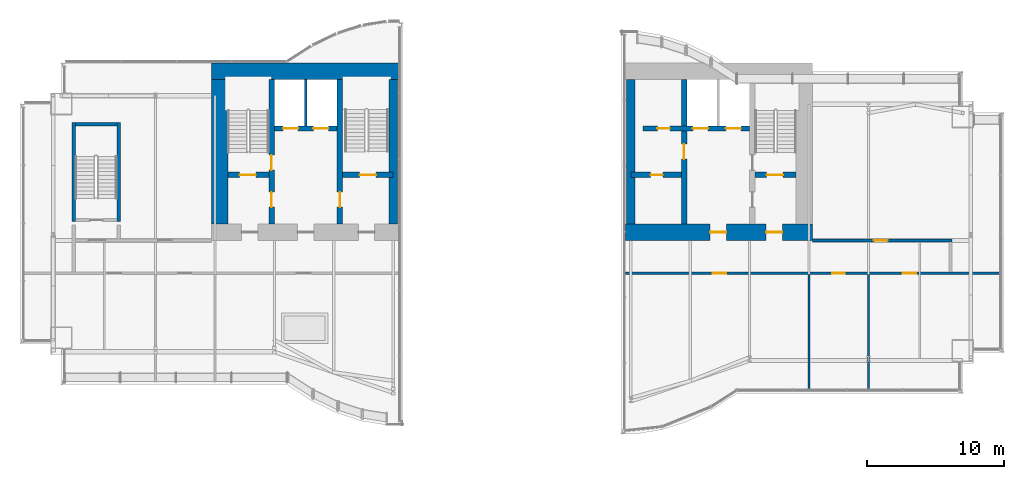
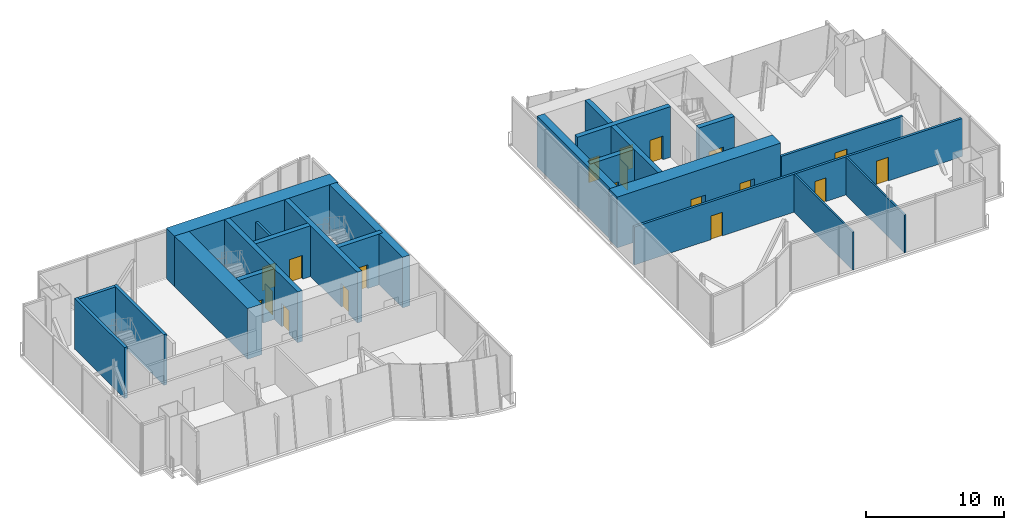
# One storey, part 10 of 14: 22 walls, 19 doors, 19 openings.
"""IFC4 building model written with IfcOpenShell, lengths in metres."""

import ifcopenshell
import ifcopenshell.guid

model = None  # the IFC model being written
_history = None  # IfcOwnerHistory: only IFC2X3 demands one
_inside = {}  # id of a spatial element -> (the spatial element, [elements in it])
_under = {}  # id of a project, library or spatial element -> (it, [spatial elements below it])
_declared = {}  # id of a project -> (the project, [libraries it declares])
_typed = {}  # id of a type object -> (the type object, [elements of that type])
_made_of = {}  # id of a material, layer set ... -> (it, [elements and type objects made of it])


def new_model(schema):
    """Start an empty IFC model of exactly this schema.

    Asked for "IFC4X3", IfcOpenShell would pick the latest addendum, in which some entities
    have other attributes; the version numbers below select the first issue.
    IFC2X3 requires an IfcOwnerHistory on every rooted entity: one is made here for all.
    """
    global model, _history
    if schema == "IFC4X3":
        model = ifcopenshell.file(schema_version=(4, 3, 0, 0))
    else:
        model = ifcopenshell.file(schema=schema)
    _inside.clear()
    _under.clear()
    _declared.clear()
    _typed.clear()
    _made_of.clear()
    _history = None
    if model.schema == "IFC2X3":
        org = make("IfcOrganization", Name="unknown")
        user = make(
            "IfcPersonAndOrganization",
            ThePerson=make("IfcPerson", FamilyName="unknown"),
            TheOrganization=org,
        )
        app = make(
            "IfcApplication",
            ApplicationDeveloper=org,
            Version="unknown",
            ApplicationFullName="unknown",
            ApplicationIdentifier="unknown",
        )
        _history = make(
            "IfcOwnerHistory",
            OwningUser=user,
            OwningApplication=app,
            ChangeAction="ADDED",
            CreationDate=0,
        )
    return model


def make(cls, **values):
    """One entity of the class cls with the attributes given. An attribute that is None is left unset."""
    return model.create_entity(
        cls, **{name: value for name, value in values.items() if value is not None}
    )


def rooted(cls, **values):
    """An entity with a GlobalId (a new one), such as an element, a storey or a relation."""
    return make(cls, GlobalId=ifcopenshell.guid.new(), OwnerHistory=_history, **values)


def si_unit(unit_type, name, prefix=None):
    """IfcSIUnit, for example si_unit("LENGTHUNIT", "METRE", prefix="MILLI")."""
    return make("IfcSIUnit", UnitType=unit_type, Prefix=prefix, Name=name)


def assignment(units):
    """IfcUnitAssignment: the units of a project."""
    return None if units is None else make("IfcUnitAssignment", Units=units)


def point(xyz):
    """IfcCartesianPoint."""
    return None if xyz is None else make("IfcCartesianPoint", Coordinates=xyz)


def direction(xyz):
    """IfcDirection."""
    return None if xyz is None else make("IfcDirection", DirectionRatios=xyz)


def frame(location, z_axis=None, x_axis=None):
    """IfcAxis2Placement3D, a coordinate frame: its origin and axes. An axis left out is left unset."""
    return make(
        "IfcAxis2Placement3D",
        Location=point(location),
        Axis=direction(z_axis),
        RefDirection=direction(x_axis),
    )


def frame_2d(location, x_axis=None):
    """IfcAxis2Placement2D, a coordinate frame in the plane: its origin and x axis."""
    return make(
        "IfcAxis2Placement2D", Location=point(location), RefDirection=direction(x_axis)
    )


def origin():
    """The frame at (0, 0, 0) with its axes left unset."""
    return frame((0.0, 0.0, 0.0))


def place(relative_to, where):
    """IfcLocalPlacement: puts the frame where relative to a parent placement (None: the world)."""
    return make(
        "IfcLocalPlacement", PlacementRelTo=relative_to, RelativePlacement=where
    )


def context(
    kind, dimensions, precision=None, world=None, true_north=None, identifier=None
):
    """IfcGeometricRepresentationContext, for example the 3D "Model" context."""
    return make(
        "IfcGeometricRepresentationContext",
        ContextIdentifier=identifier,
        ContextType=kind,
        CoordinateSpaceDimension=dimensions,
        Precision=precision,
        WorldCoordinateSystem=world,
        TrueNorth=true_north,
    )


def subcontext(parent, identifier, kind, view, scale=None):
    """IfcGeometricRepresentationSubContext, for example "Body" below "Model"."""
    return make(
        "IfcGeometricRepresentationSubContext",
        ContextIdentifier=identifier,
        ContextType=kind,
        ParentContext=parent,
        TargetScale=scale,
        TargetView=view,
    )


def project(units=None, contexts=None):
    """IfcProject with its units and contexts."""
    return rooted(
        "IfcProject",
        Name="project",
        RepresentationContexts=contexts,
        UnitsInContext=assignment(units),
    )


def spatial(cls, under=None, at=None, **own):
    """A site, building, storey or space (cls), placed at a placement, below another one or the project."""
    s = rooted(cls, ObjectPlacement=at, **own)
    if under is not None:
        _under.setdefault(under.id(), (under, []))[1].append(s)
    return s


def profile(cls, at=None, kind="AREA", **sizes):
    """A parametric profile (cls). Its sizes go by their IFC names, for example OverallWidth=200.0."""
    return make(cls, ProfileType=kind, Position=at, **sizes)


def rectangle(**sizes):
    """IfcRectangleProfileDef."""
    return profile("IfcRectangleProfileDef", **sizes)


def extrude(swept, where, along, depth):
    """IfcExtrudedAreaSolid: the profile swept, set in the frame where, extruded along a direction by depth."""
    return make(
        "IfcExtrudedAreaSolid",
        SweptArea=swept,
        Position=where,
        ExtrudedDirection=direction(along),
        Depth=depth,
    )


def shape(context_of_items, identifier, shape_type, items):
    """IfcShapeRepresentation: the items that make up one representation, for example the "Body"."""
    return make(
        "IfcShapeRepresentation",
        ContextOfItems=context_of_items,
        RepresentationIdentifier=identifier,
        RepresentationType=shape_type,
        Items=items,
    )


def material(Name=None, Category=None):
    """IfcMaterial."""
    return make("IfcMaterial", Name=Name, Category=Category)


def layer(
    of_material, thickness, ventilated=None, Name=None, Category=None, Priority=None
):
    """IfcMaterialLayer: one layer of a wall or slab, of a material (None: an air gap)."""
    return make(
        "IfcMaterialLayer",
        Material=of_material,
        LayerThickness=thickness,
        IsVentilated=ventilated,
        Name=Name,
        Category=Category,
        Priority=Priority,
    )


def layer_set(layers, Name=None):
    """IfcMaterialLayerSet."""
    return make("IfcMaterialLayerSet", MaterialLayers=layers, LayerSetName=Name)


def made_of(thing, what):
    """Note that an element or type object is made of a material, layer set ...; save() writes the relation."""
    if what is not None:
        _made_of.setdefault(what.id(), (what, []))[1].append(thing)
    return thing


def type_object(cls, material=None, **own):
    """A type object (cls), such as IfcWallType, which elements share."""
    return made_of(rooted(cls, **own), material)


def element(
    cls,
    number,
    at=None,
    inside=None,
    cuts=None,
    type_object=None,
    material=None,
    context=None,
    identifier="Body",
    shape_type=None,
    held_by="IfcProductDefinitionShape",
    body=None,
    shapes=None,
    **own,
):
    """One element of the class cls, such as IfcWall. Its Tag is "e" and its number.

    at: its placement. inside: the storey or other place that contains it. cuts: it is an
    opening in that element (IfcRelVoidsElement). A single representation is given by context,
    identifier, shape_type and body (its items); several are given by shapes. held_by: the class
    of the entity that holds the representations. save() writes the other relations.
    """
    e = rooted(cls, Tag="e%d" % number, ObjectPlacement=at, **own)
    if body is not None:
        shapes = [shape(context, identifier, shape_type, body)]
    if shapes is not None:
        e.Representation = make(held_by, Representations=shapes)
    if inside is not None:
        _inside.setdefault(inside.id(), (inside, []))[1].append(e)
    if cuts is not None:
        rooted(
            "IfcRelVoidsElement", RelatingBuildingElement=cuts, RelatedOpeningElement=e
        )
    if type_object is not None:
        _typed.setdefault(type_object.id(), (type_object, []))[1].append(e)
    return made_of(e, material)


def fill(opening, filler):
    """IfcRelFillsElement: the door or window that sits in an opening."""
    return rooted(
        "IfcRelFillsElement",
        RelatingOpeningElement=opening,
        RelatedBuildingElement=filler,
    )


def aggregate(whole, parts):
    """IfcRelAggregates: a whole, such as a stair, and the parts it consists of."""
    return rooted("IfcRelAggregates", RelatingObject=whole, RelatedObjects=parts)


def save(model, path):
    """Write the relations noted so far, then the file.

    IfcRelAggregates (storeys below a building ...), IfcRelContainedInSpatialStructure (elements
    in a storey), IfcRelDefinesByType, IfcRelAssociatesMaterial and IfcRelDeclares: one each for
    every whole, place, type object, material and project.
    """
    for whole, parts in _under.values():
        aggregate(whole, parts)
    for where, things in _inside.values():
        rooted(
            "IfcRelContainedInSpatialStructure",
            RelatedElements=things,
            RelatingStructure=where,
        )
    for kind, things in _typed.values():
        rooted("IfcRelDefinesByType", RelatedObjects=things, RelatingType=kind)
    for what, things in _made_of.values():
        rooted("IfcRelAssociatesMaterial", RelatedObjects=things, RelatingMaterial=what)
    for by, libraries in _declared.values():
        rooted("IfcRelDeclares", RelatingContext=by, RelatedDefinitions=libraries)
    model.write(path)


model = new_model("IFC4")

# Units and contexts
model_context = context("Model", 3, precision=1e-05, world=origin(), true_north=direction((0.0, 1.0)))
body_context = subcontext(model_context, "Body", "Model", "MODEL_VIEW")
ifc_project = project(units=[si_unit("LENGTHUNIT", "METRE"), si_unit("AREAUNIT", "SQUARE_METRE"), si_unit("VOLUMEUNIT", "CUBIC_METRE"), si_unit("PLANEANGLEUNIT", "RADIAN"), si_unit("MASSUNIT", "GRAM", prefix="KILO")], contexts=[model_context])

# Site, building, storey
site_placement = place(None, origin())
site = spatial("IfcSite", under=ifc_project, at=site_placement, CompositionType="ELEMENT")
building_placement = place(site_placement, origin())
building = spatial("IfcBuilding", under=site, at=building_placement, Name="Bicima Exchange Tower", CompositionType="ELEMENT")
storey_placement = place(building_placement, frame((0.0, 0.0, 352.39990234375)))
storey = spatial("IfcBuildingStorey", under=building, at=storey_placement, Name="L79", CompositionType="ELEMENT", Elevation=352.39990234375)

# Wall
ifc_material_1 = material(Name="Gypsum board partition")
ifc_layer_1 = layer(ifc_material_1, 0.199951171875)
ifc_layer_set_1 = layer_set([ifc_layer_1], Name="Gypsum board partition")
wall_type_1 = type_object("IfcWallType", Name="Fire-rated gypsum partition 200 EI120", PredefinedType="PARTITIONING", material=ifc_layer_set_1)
wall_1_placement = place(storey_placement, frame((-15.10009765625, -4.60009765625, 0.0), z_axis=(0.0, 0.0, 1.0), x_axis=(0.0, 1.0, 0.0)))
element("IfcWall", 1, at=wall_1_placement, inside=storey, type_object=wall_type_1, Name="partition wall 8", PredefinedType="PARTITIONING", context=body_context, shape_type="SweptSolid", body=[
    extrude(rectangle(XDim=3.400146484375, YDim=0.199951171875, at=frame_2d((1.7001953125, 0.0))), origin(), (0.0, 0.0, 1.0), 3.368408203125),
])

# Wall, openings, doors
ifc_layer_2 = layer(ifc_material_1, 0.199951171875)
ifc_layer_set_2 = layer_set([ifc_layer_2], Name="Gypsum board partition")
wall_type_2 = type_object("IfcWallType", Name="Fire-rated gypsum partition 200 EI60", PredefinedType="PARTITIONING", material=ifc_layer_set_2)
wall_2_placement = place(storey_placement, frame((8.300048828125, -15.39990234375, 0.0), z_axis=(0.0, 0.0, 1.0), x_axis=(1.0, 0.0, 0.0)))
wall_2 = element("IfcWall", 2, at=wall_2_placement, inside=storey, type_object=wall_type_2, Name="partition wall 2", PredefinedType="PARTITIONING", context=body_context, shape_type="SweptSolid", body=[
    extrude(rectangle(XDim=27.489990234375, YDim=0.199951171875, at=frame_2d((13.7451171875, 0.0))), origin(), (0.0, 0.0, 1.0), 3.368408203125),
])
opening_1_placement = place(wall_2_placement, frame((6.39990234375, 0.0, 0.0)))
opening_1 = element("IfcOpeningElement", 3, at=opening_1_placement, cuts=wall_2, Name="Opening L79-008", PredefinedType="OPENING", context=body_context, shape_type="SweptSolid", body=[
    extrude(rectangle(XDim=1.0, YDim=2.10009765625, at=frame_2d((0.5, 1.050048828125))), frame((0.0, 0.11181640625, 0.0), z_axis=(0.0, -1.0, 0.0), x_axis=(1.0, 0.0, 0.0)), (0.0, 0.0, 1.0), 0.223876953125),
])
opening_2_placement = place(wall_2_placement, frame((15.14990234375, 0.0, 0.0)))
opening_2 = element("IfcOpeningElement", 4, at=opening_2_placement, cuts=wall_2, Name="Opening L79-009", PredefinedType="OPENING", context=body_context, shape_type="SweptSolid", body=[
    extrude(rectangle(XDim=0.89990234375, YDim=2.10009765625, at=frame_2d((0.449951171875, 1.050048828125))), frame((0.0, 0.11181640625, 0.0), z_axis=(0.0, -1.0, 0.0), x_axis=(1.0, 0.0, 0.0)), (0.0, 0.0, 1.0), 0.223876953125),
])
opening_3_placement = place(wall_2_placement, frame((20.300048828125, 0.0, 0.0)))
opening_3 = element("IfcOpeningElement", 5, at=opening_3_placement, cuts=wall_2, Name="Opening L79-010", PredefinedType="OPENING", context=body_context, shape_type="SweptSolid", body=[
    extrude(rectangle(XDim=1.0, YDim=2.10009765625, at=frame_2d((0.5, 1.050048828125))), frame((0.0, 0.11181640625, 0.0), z_axis=(0.0, -1.0, 0.0), x_axis=(1.0, 0.0, 0.0)), (0.0, 0.0, 1.0), 0.223876953125),
])
ifc_material_2 = material(Name="Steel fire door leaf", Category="steel")
door_type_1 = type_object("IfcDoorType", Name="Door 1000 swing FD30S", OperationType="SINGLE_SWING_LEFT", PredefinedType="DOOR", material=ifc_material_2)
door_1_placement = place(opening_1_placement, frame((1.0, 0.0, 0.0), z_axis=(0.0, 0.0, 1.0), x_axis=(-1.0, 0.0, 0.0)))
door_1 = element("IfcDoor", 6, at=door_1_placement, inside=storey, type_object=door_type_1, Name="Door", OperationType="SINGLE_SWING_RIGHT", OverallHeight=2.10009765625, OverallWidth=1.0, PredefinedType="DOOR", context=body_context, shape_type="SweptSolid", body=[
    extrude(rectangle(XDim=1.0, YDim=2.10009765625, at=frame_2d((0.5, 1.050048828125))), frame((0.0, 0.02490234375, 0.0), z_axis=(0.0, -1.0, 0.0), x_axis=(1.0, 0.0, 0.0)), (0.0, 0.0, 1.0), 0.050048828125),
])
fill(opening_1, door_1)
door_2_placement = place(opening_3_placement, frame((1.0, 0.0, 0.0), z_axis=(0.0, 0.0, 1.0), x_axis=(-1.0, 0.0, 0.0)))
door_2 = element("IfcDoor", 7, at=door_2_placement, inside=storey, type_object=door_type_1, Name="Door", OperationType="SINGLE_SWING_LEFT", OverallHeight=2.10009765625, OverallWidth=1.0, PredefinedType="DOOR", context=body_context, shape_type="SweptSolid", body=[
    extrude(rectangle(XDim=1.0, YDim=2.10009765625, at=frame_2d((0.5, 1.050048828125))), frame((0.0, 0.02490234375, 0.0), z_axis=(0.0, -1.0, 0.0), x_axis=(1.0, 0.0, 0.0)), (0.0, 0.0, 1.0), 0.050048828125),
])
fill(opening_3, door_2)
door_type_2 = type_object("IfcDoorType", Name="Door 900 swing FD30S", OperationType="SINGLE_SWING_LEFT", PredefinedType="DOOR", material=ifc_material_2)
door_3_placement = place(opening_2_placement, frame((0.89990234375, 0.0, 0.0), z_axis=(0.0, 0.0, 1.0), x_axis=(-1.0, 0.0, 0.0)))
door_3 = element("IfcDoor", 8, at=door_3_placement, inside=storey, type_object=door_type_2, Name="Door", OperationType="SINGLE_SWING_RIGHT", OverallHeight=2.10009765625, OverallWidth=0.89990234375, PredefinedType="DOOR", context=body_context, shape_type="SweptSolid", body=[
    extrude(rectangle(XDim=0.89990234375, YDim=2.10009765625, at=frame_2d((0.449951171875, 1.050048828125))), frame((0.0, 0.02490234375, 0.0), z_axis=(0.0, -1.0, 0.0), x_axis=(1.0, 0.0, 0.0)), (0.0, 0.0, 1.0), 0.050048828125),
])
fill(opening_2, door_3)

# Wall, opening, door
wall_3_placement = place(storey_placement, frame((22.0, -13.0, 0.0), z_axis=(0.0, 0.0, 1.0), x_axis=(1.0, 0.0, 0.0)))
wall_3 = element("IfcWall", 9, at=wall_3_placement, inside=storey, type_object=wall_type_2, Name="partition wall 4", PredefinedType="PARTITIONING", context=body_context, shape_type="SweptSolid", body=[
    extrude(rectangle(XDim=10.199951171875, YDim=0.199951171875, at=frame_2d((5.10009765625, 0.0))), origin(), (0.0, 0.0, 1.0), 3.368408203125),
])
opening_4_placement = place(wall_3_placement, frame((4.5, 0.0, 0.0)))
opening_4 = element("IfcOpeningElement", 10, at=opening_4_placement, cuts=wall_3, Name="Opening L79-007", PredefinedType="OPENING", context=body_context, shape_type="SweptSolid", body=[
    extrude(rectangle(XDim=1.0, YDim=2.10009765625, at=frame_2d((0.5, 1.050048828125))), frame((0.0, 0.11181640625, 0.0), z_axis=(0.0, -1.0, 0.0), x_axis=(1.0, 0.0, 0.0)), (0.0, 0.0, 1.0), 0.223876953125),
])
door_4_placement = place(opening_4_placement, origin())
door_4 = element("IfcDoor", 11, at=door_4_placement, inside=storey, type_object=door_type_1, Name="Door", OperationType="SINGLE_SWING_LEFT", OverallHeight=2.10009765625, OverallWidth=1.0, PredefinedType="DOOR", context=body_context, shape_type="SweptSolid", body=[
    extrude(rectangle(XDim=1.0, YDim=2.10009765625, at=frame_2d((0.5, 1.050048828125))), frame((0.0, 0.02490234375, 0.0), z_axis=(0.0, -1.0, 0.0), x_axis=(1.0, 0.0, 0.0)), (0.0, 0.0, 1.0), 0.050048828125),
])
fill(opening_4, door_4)

# Walls
ifc_layer_3 = layer(ifc_material_1, 0.14990234375)
ifc_layer_set_3 = layer_set([ifc_layer_3], Name="Gypsum board partition")
wall_type_3 = type_object("IfcWallType", Name="Gypsum partition 150", PredefinedType="PARTITIONING", material=ifc_layer_set_3)
for number, where, z_axis, x_axis, name in (
    (12, (21.75, -23.97998046875, 0.0), (0.0, 0.0, 1.0), (0.0, 1.0, 0.0), "partition wall 11"),
    (13, (26.10009765625, -23.97998046875, 0.0), (0.0, 0.0, 1.0), (0.0, 1.0, 0.0), "partition wall 12"),
):
    element("IfcWall", number, at=place(storey_placement, frame(where, z_axis=z_axis, x_axis=x_axis)), inside=storey, type_object=wall_type_3, Name=name, PredefinedType="PARTITIONING", context=body_context, shape_type="SweptSolid", body=[
        extrude(rectangle(XDim=8.47998046875, YDim=0.14990234375, at=frame_2d((4.239990234375, 0.0))), origin(), (0.0, 0.0, 1.0), 3.368408203125),
    ])
ifc_material_3 = material(Name="Concrete C40/50", Category="concrete")
ifc_layer_4 = layer(ifc_material_3, 1.199951171875)
ifc_layer_set_4 = layer_set([ifc_layer_4], Name="Concrete C40/50")
wall_type_4 = type_object("IfcWallType", Name="RC core wall 1200 C40/50", PredefinedType="SHEAR", material=ifc_layer_set_4)
wall_4_placement = place(storey_placement, frame((-22.0, -0.60009765625, 0.0), z_axis=(0.0, 0.0, 1.0), x_axis=(1.0, 0.0, 0.0)))
element("IfcWall", 14, at=wall_4_placement, inside=storey, type_object=wall_type_4, Name="Core wall north-W", PredefinedType="SHEAR", context=body_context, shape_type="SweptSolid", body=[
    extrude(rectangle(XDim=13.699951171875, YDim=1.199951171875, at=frame_2d((6.85009765625, 0.0))), origin(), (0.0, 0.0, 1.0), 4.5),
])
wall_5_placement = place(storey_placement, frame((-21.39990234375, -11.800048828125, 0.0), z_axis=(0.0, 0.0, 1.0), x_axis=(0.0, 1.0, 0.0)))
element("IfcWall", 15, at=wall_5_placement, inside=storey, type_object=wall_type_4, Name="Core wall outer-W", PredefinedType="SHEAR", context=body_context, shape_type="SweptSolid", body=[
    extrude(rectangle(XDim=10.60009765625, YDim=1.199951171875, at=frame_2d((5.300048828125, 0.0))), origin(), (0.0, 0.0, 1.0), 4.5),
])

# Wall, openings, doors
wall_6_placement = place(storey_placement, frame((8.300048828125, -12.39990234375, 0.0), z_axis=(0.0, 0.0, 1.0), x_axis=(1.0, 0.0, 0.0)))
wall_6 = element("IfcWall", 16, at=wall_6_placement, inside=storey, type_object=wall_type_4, Name="Core wall south-E", PredefinedType="SHEAR", context=body_context, shape_type="SweptSolid", body=[
    extrude(rectangle(XDim=13.699951171875, YDim=1.199951171875, at=frame_2d((6.85009765625, 0.0))), origin(), (0.0, 0.0, 1.0), 4.5),
])
opening_5_placement = place(wall_6_placement, frame((10.300048828125, 0.0, 0.0)))
opening_5 = element("IfcOpeningElement", 17, at=opening_5_placement, cuts=wall_6, Name="Opening L79-C13", PredefinedType="OPENING", context=body_context, shape_type="SweptSolid", body=[
    extrude(rectangle(XDim=1.199951171875, YDim=2.10009765625, at=frame_2d((0.60009765625, 1.050048828125))), frame((0.0, 0.61181640625, 0.0), z_axis=(0.0, -1.0, 0.0), x_axis=(1.0, 0.0, 0.0)), (0.0, 0.0, 1.0), 1.223876953125),
])
opening_6_placement = place(wall_6_placement, frame((6.199951171875, 0.0, 0.0)))
opening_6 = element("IfcOpeningElement", 18, at=opening_6_placement, cuts=wall_6, Name="Opening L79-C16", PredefinedType="OPENING", context=body_context, shape_type="SweptSolid", body=[
    extrude(rectangle(XDim=1.199951171875, YDim=2.10009765625, at=frame_2d((0.60009765625, 1.050048828125))), frame((0.0, 0.61181640625, 0.0), z_axis=(0.0, -1.0, 0.0), x_axis=(1.0, 0.0, 0.0)), (0.0, 0.0, 1.0), 1.223876953125),
])
door_type_3 = type_object("IfcDoorType", Name="Door 1200 swing FD60S", OperationType="SINGLE_SWING_LEFT", PredefinedType="DOOR", material=ifc_material_2)
door_5_placement = place(opening_5_placement, frame((1.199951171875, 0.0, 0.0), z_axis=(0.0, 0.0, 1.0), x_axis=(-1.0, 0.0, 0.0)))
door_5 = element("IfcDoor", 19, at=door_5_placement, inside=storey, type_object=door_type_3, Name="Core door", OperationType="SINGLE_SWING_RIGHT", OverallHeight=2.10009765625, OverallWidth=1.199951171875, PredefinedType="DOOR", context=body_context, shape_type="SweptSolid", body=[
    extrude(rectangle(XDim=1.199951171875, YDim=2.10009765625, at=frame_2d((0.60009765625, 1.050048828125))), frame((0.0, 0.02490234375, 0.0), z_axis=(0.0, -1.0, 0.0), x_axis=(1.0, 0.0, 0.0)), (0.0, 0.0, 1.0), 0.050048828125),
])
fill(opening_5, door_5)
door_6_placement = place(opening_6_placement, frame((1.199951171875, 0.0, 0.0), z_axis=(0.0, 0.0, 1.0), x_axis=(-1.0, 0.0, 0.0)))
door_6 = element("IfcDoor", 20, at=door_6_placement, inside=storey, type_object=door_type_3, Name="Core door", OperationType="SINGLE_SWING_RIGHT", OverallHeight=2.10009765625, OverallWidth=1.199951171875, PredefinedType="DOOR", context=body_context, shape_type="SweptSolid", body=[
    extrude(rectangle(XDim=1.199951171875, YDim=2.10009765625, at=frame_2d((0.60009765625, 1.050048828125))), frame((0.0, 0.02490234375, 0.0), z_axis=(0.0, -1.0, 0.0), x_axis=(1.0, 0.0, 0.0)), (0.0, 0.0, 1.0), 0.050048828125),
])
fill(opening_6, door_6)

# Wall, opening, door
ifc_layer_5 = layer(ifc_material_3, 0.39990234375)
ifc_layer_set_5 = layer_set([ifc_layer_5], Name="Concrete C40/50")
wall_type_5 = type_object("IfcWallType", Name="RC core wall 400 C40/50", PredefinedType="SHEAR", material=ifc_layer_set_5)
wall_7_placement = place(storey_placement, frame((8.699951171875, -8.199951171875, 0.0), z_axis=(0.0, 0.0, 1.0), x_axis=(1.0, 0.0, 0.0)))
wall_7 = element("IfcWall", 21, at=wall_7_placement, inside=storey, type_object=wall_type_5, Name="shear wall 3", PredefinedType="SHEAR", context=body_context, shape_type="SweptSolid", body=[
    extrude(rectangle(XDim=3.699951171875, YDim=0.39990234375, at=frame_2d((1.85009765625, 0.0))), origin(), (0.0, 0.0, 1.0), 4.5),
])
opening_7_placement = place(wall_7_placement, frame((1.449951171875, 0.0, 0.0)))
opening_7 = element("IfcOpeningElement", 22, at=opening_7_placement, cuts=wall_7, Name="Opening L79-C11", PredefinedType="OPENING", context=body_context, shape_type="SweptSolid", body=[
    extrude(rectangle(XDim=0.89990234375, YDim=2.10009765625, at=frame_2d((0.449951171875, 1.050048828125))), frame((0.0, 0.2119140625, 0.0), z_axis=(0.0, -1.0, 0.0), x_axis=(1.0, 0.0, 0.0)), (0.0, 0.0, 1.0), 0.423828125),
])
door_7_placement = place(opening_7_placement, frame((0.89990234375, 0.0, 0.0), z_axis=(0.0, 0.0, 1.0), x_axis=(-1.0, 0.0, 0.0)))
door_7 = element("IfcDoor", 23, at=door_7_placement, inside=storey, type_object=door_type_2, Name="Core door", OperationType="SINGLE_SWING_RIGHT", OverallHeight=2.10009765625, OverallWidth=0.89990234375, PredefinedType="DOOR", context=body_context, shape_type="SweptSolid", body=[
    extrude(rectangle(XDim=0.89990234375, YDim=2.10009765625, at=frame_2d((0.449951171875, 1.050048828125))), frame((0.0, 0.02490234375, 0.0), z_axis=(0.0, -1.0, 0.0), x_axis=(1.0, 0.0, 0.0)), (0.0, 0.0, 1.0), 0.050048828125),
])
fill(opening_7, door_7)

# Wall, openings, doors
wall_8_placement = place(storey_placement, frame((-17.39990234375, -4.800048828125, 0.0), z_axis=(0.0, 0.0, 1.0), x_axis=(1.0, 0.0, 0.0)))
wall_8 = element("IfcWall", 24, at=wall_8_placement, inside=storey, type_object=wall_type_5, Name="shear wall 5", PredefinedType="SHEAR", context=body_context, shape_type="SweptSolid", body=[
    extrude(rectangle(XDim=4.599853515625, YDim=0.39990234375, at=frame_2d((2.2998046875, 0.0))), origin(), (0.0, 0.0, 1.0), 4.5),
])
opening_8_placement = place(wall_8_placement, frame((0.64990234375, 0.0, 0.0)))
opening_8 = element("IfcOpeningElement", 25, at=opening_8_placement, cuts=wall_8, Name="Opening LD-FF1-L79", PredefinedType="OPENING", context=body_context, shape_type="SweptSolid", body=[
    extrude(rectangle(XDim=1.10009765625, YDim=2.10009765625, at=frame_2d((0.550048828125, 1.050048828125))), frame((0.0, 0.2119140625, 0.0), z_axis=(0.0, -1.0, 0.0), x_axis=(1.0, 0.0, 0.0)), (0.0, 0.0, 1.0), 0.423828125),
])
opening_9_placement = place(wall_8_placement, frame((2.85009765625, 0.0, 0.0)))
opening_9 = element("IfcOpeningElement", 26, at=opening_9_placement, cuts=wall_8, Name="Opening LD-FF3-L79", PredefinedType="OPENING", context=body_context, shape_type="SweptSolid", body=[
    extrude(rectangle(XDim=1.10009765625, YDim=2.10009765625, at=frame_2d((0.550048828125, 1.050048828125))), frame((0.0, 0.2119140625, 0.0), z_axis=(0.0, -1.0, 0.0), x_axis=(1.0, 0.0, 0.0)), (0.0, 0.0, 1.0), 0.423828125),
])
ifc_material_4 = material(Name="Stainless steel", Category="steel")
door_type_4 = type_object("IfcDoorType", Name="Lift landing door 1100 sliding", OperationType="DOUBLE_DOOR_SLIDING", PredefinedType="DOOR", material=ifc_material_4)
door_8_placement = place(opening_8_placement, origin())
door_8 = element("IfcDoor", 27, at=door_8_placement, inside=storey, type_object=door_type_4, Name="Lift landing door FF1", OperationType="DOUBLE_DOOR_SLIDING", OverallHeight=2.10009765625, OverallWidth=1.10009765625, PredefinedType="DOOR", context=body_context, shape_type="SweptSolid", body=[
    extrude(rectangle(XDim=1.10009765625, YDim=2.10009765625, at=frame_2d((0.550048828125, 1.050048828125))), frame((0.0, 0.02490234375, 0.0), z_axis=(0.0, -1.0, 0.0), x_axis=(1.0, 0.0, 0.0)), (0.0, 0.0, 1.0), 0.050048828125),
])
fill(opening_8, door_8)
door_9_placement = place(opening_9_placement, origin())
door_9 = element("IfcDoor", 28, at=door_9_placement, inside=storey, type_object=door_type_4, Name="Lift landing door FF3", OperationType="DOUBLE_DOOR_SLIDING", OverallHeight=2.10009765625, OverallWidth=1.10009765625, PredefinedType="DOOR", context=body_context, shape_type="SweptSolid", body=[
    extrude(rectangle(XDim=1.10009765625, YDim=2.10009765625, at=frame_2d((0.550048828125, 1.050048828125))), frame((0.0, 0.02490234375, 0.0), z_axis=(0.0, -1.0, 0.0), x_axis=(1.0, 0.0, 0.0)), (0.0, 0.0, 1.0), 0.050048828125),
])
fill(opening_9, door_9)

wall_9_placement = place(storey_placement, frame((9.60009765625, -4.800048828125, 0.0), z_axis=(0.0, 0.0, 1.0), x_axis=(1.0, 0.0, 0.0)))
wall_9 = element("IfcWall", 29, at=wall_9_placement, inside=storey, type_object=wall_type_5, Name="shear wall 6", PredefinedType="SHEAR", context=body_context, shape_type="SweptSolid", body=[
    extrude(rectangle(XDim=7.7998046875, YDim=0.39990234375, at=frame_2d((3.89990234375, 0.0))), origin(), (0.0, 0.0, 1.0), 4.5),
])
opening_10_placement = place(wall_9_placement, frame((3.64990234375, 0.0, 0.0)))
opening_10 = element("IfcOpeningElement", 30, at=opening_10_placement, cuts=wall_9, Name="Opening LD-FF2-L79", PredefinedType="OPENING", context=body_context, shape_type="SweptSolid", body=[
    extrude(rectangle(XDim=1.10009765625, YDim=2.10009765625, at=frame_2d((0.550048828125, 1.050048828125))), frame((0.0, 0.2119140625, 0.0), z_axis=(0.0, -1.0, 0.0), x_axis=(1.0, 0.0, 0.0)), (0.0, 0.0, 1.0), 0.423828125),
])
opening_11_placement = place(wall_9_placement, frame((6.050048828125, 0.0, 0.0)))
opening_11 = element("IfcOpeningElement", 31, at=opening_11_placement, cuts=wall_9, Name="Opening LD-SV1-L79", PredefinedType="OPENING", context=body_context, shape_type="SweptSolid", body=[
    extrude(rectangle(XDim=1.10009765625, YDim=2.10009765625, at=frame_2d((0.550048828125, 1.050048828125))), frame((0.0, 0.2119140625, 0.0), z_axis=(0.0, -1.0, 0.0), x_axis=(1.0, 0.0, 0.0)), (0.0, 0.0, 1.0), 0.423828125),
])
opening_12_placement = place(wall_9_placement, frame((1.050048828125, 0.0, 0.0)))
opening_12 = element("IfcOpeningElement", 32, at=opening_12_placement, cuts=wall_9, Name="Opening L79-C10", PredefinedType="OPENING", context=body_context, shape_type="SweptSolid", body=[
    extrude(rectangle(XDim=0.89990234375, YDim=2.10009765625, at=frame_2d((0.449951171875, 1.050048828125))), frame((0.0, 0.2119140625, 0.0), z_axis=(0.0, -1.0, 0.0), x_axis=(1.0, 0.0, 0.0)), (0.0, 0.0, 1.0), 0.423828125),
])
door_10_placement = place(opening_12_placement, origin())
door_10 = element("IfcDoor", 33, at=door_10_placement, inside=storey, type_object=door_type_2, Name="Core door", OperationType="SINGLE_SWING_RIGHT", OverallHeight=2.10009765625, OverallWidth=0.89990234375, PredefinedType="DOOR", context=body_context, shape_type="SweptSolid", body=[
    extrude(rectangle(XDim=0.89990234375, YDim=2.10009765625, at=frame_2d((0.449951171875, 1.050048828125))), frame((0.0, 0.02490234375, 0.0), z_axis=(0.0, -1.0, 0.0), x_axis=(1.0, 0.0, 0.0)), (0.0, 0.0, 1.0), 0.050048828125),
])
fill(opening_12, door_10)
door_11_placement = place(opening_10_placement, origin())
door_11 = element("IfcDoor", 34, at=door_11_placement, inside=storey, type_object=door_type_4, Name="Lift landing door FF2", OperationType="DOUBLE_DOOR_SLIDING", OverallHeight=2.10009765625, OverallWidth=1.10009765625, PredefinedType="DOOR", context=body_context, shape_type="SweptSolid", body=[
    extrude(rectangle(XDim=1.10009765625, YDim=2.10009765625, at=frame_2d((0.550048828125, 1.050048828125))), frame((0.0, 0.02490234375, 0.0), z_axis=(0.0, -1.0, 0.0), x_axis=(1.0, 0.0, 0.0)), (0.0, 0.0, 1.0), 0.050048828125),
])
fill(opening_10, door_11)
door_12_placement = place(opening_11_placement, origin())
door_12 = element("IfcDoor", 35, at=door_12_placement, inside=storey, type_object=door_type_4, Name="Lift landing door SV1", OperationType="DOUBLE_DOOR_SLIDING", OverallHeight=2.10009765625, OverallWidth=1.10009765625, PredefinedType="DOOR", context=body_context, shape_type="SweptSolid", body=[
    extrude(rectangle(XDim=1.10009765625, YDim=2.10009765625, at=frame_2d((0.550048828125, 1.050048828125))), frame((0.0, 0.02490234375, 0.0), z_axis=(0.0, -1.0, 0.0), x_axis=(1.0, 0.0, 0.0)), (0.0, 0.0, 1.0), 0.050048828125),
])
fill(opening_11, door_12)

# Wall, opening, door
wall_10_placement = place(storey_placement, frame((12.60009765625, -11.800048828125, 0.0), z_axis=(0.0, 0.0, 1.0), x_axis=(0.0, 1.0, 0.0)))
wall_10 = element("IfcWall", 36, at=wall_10_placement, inside=storey, type_object=wall_type_5, Name="shear wall 10", PredefinedType="SHEAR", context=body_context, shape_type="SweptSolid", body=[
    extrude(rectangle(XDim=10.60009765625, YDim=0.39990234375, at=frame_2d((5.300048828125, 0.0))), origin(), (0.0, 0.0, 1.0), 4.5),
])
opening_13_placement = place(wall_10_placement, frame((4.75, 0.0, 0.0)))
opening_13 = element("IfcOpeningElement", 37, at=opening_13_placement, cuts=wall_10, Name="Opening L79-C09", PredefinedType="OPENING", context=body_context, shape_type="SweptSolid", body=[
    extrude(rectangle(XDim=1.10009765625, YDim=2.10009765625, at=frame_2d((0.550048828125, 1.050048828125))), frame((0.0, 0.2119140625, 0.0), z_axis=(0.0, -1.0, 0.0), x_axis=(1.0, 0.0, 0.0)), (0.0, 0.0, 1.0), 0.423828125),
])
door_type_5 = type_object("IfcDoorType", Name="Door 1100 swing FD60S", OperationType="SINGLE_SWING_LEFT", PredefinedType="DOOR", material=ifc_material_2)
door_13_placement = place(opening_13_placement, frame((1.10009765625, 0.0, 0.0), z_axis=(0.0, 0.0, 1.0), x_axis=(-1.0, 0.0, 0.0)))
door_13 = element("IfcDoor", 38, at=door_13_placement, inside=storey, type_object=door_type_5, Name="Core door", OperationType="SINGLE_SWING_RIGHT", OverallHeight=2.10009765625, OverallWidth=1.10009765625, PredefinedType="DOOR", context=body_context, shape_type="SweptSolid", body=[
    extrude(rectangle(XDim=1.10009765625, YDim=2.10009765625, at=frame_2d((0.550048828125, 1.050048828125))), frame((0.0, 0.02490234375, 0.0), z_axis=(0.0, -1.0, 0.0), x_axis=(1.0, 0.0, 0.0)), (0.0, 0.0, 1.0), 0.050048828125),
])
fill(opening_13, door_13)

ifc_material_5 = material(Name="Concrete C50/60", Category="concrete")
ifc_layer_6 = layer(ifc_material_5, 0.39990234375)
ifc_layer_set_6 = layer_set([ifc_layer_6], Name="Concrete C50/60")
wall_type_6 = type_object("IfcWallType", Name="RC core wall 400 C50/60", PredefinedType="SHEAR", material=ifc_layer_set_6)
wall_11_placement = place(storey_placement, frame((-20.800048828125, -8.199951171875, 0.0), z_axis=(0.0, 0.0, 1.0), x_axis=(1.0, 0.0, 0.0)))
wall_11 = element("IfcWall", 39, at=wall_11_placement, inside=storey, type_object=wall_type_6, Name="stair wall 1", PredefinedType="SHEAR", context=body_context, shape_type="SweptSolid", body=[
    extrude(rectangle(XDim=3.0, YDim=0.39990234375, at=frame_2d((1.5, 0.0))), origin(), (0.0, 0.0, 1.0), 4.5),
])
opening_14_placement = place(wall_11_placement, frame((0.85009765625, 0.0, 0.0)))
opening_14 = element("IfcOpeningElement", 40, at=opening_14_placement, cuts=wall_11, Name="Opening L79-C01", PredefinedType="OPENING", context=body_context, shape_type="SweptSolid", body=[
    extrude(rectangle(XDim=1.199951171875, YDim=2.10009765625, at=frame_2d((0.60009765625, 1.050048828125))), frame((0.0, 0.2119140625, 0.0), z_axis=(0.0, -1.0, 0.0), x_axis=(1.0, 0.0, 0.0)), (0.0, 0.0, 1.0), 0.423828125),
])
door_14_placement = place(opening_14_placement, origin())
door_14 = element("IfcDoor", 41, at=door_14_placement, inside=storey, type_object=door_type_3, Name="Core door", OperationType="SINGLE_SWING_LEFT", OverallHeight=2.10009765625, OverallWidth=1.199951171875, PredefinedType="DOOR", context=body_context, shape_type="SweptSolid", body=[
    extrude(rectangle(XDim=1.199951171875, YDim=2.10009765625, at=frame_2d((0.60009765625, 1.050048828125))), frame((0.0, 0.02490234375, 0.0), z_axis=(0.0, -1.0, 0.0), x_axis=(1.0, 0.0, 0.0)), (0.0, 0.0, 1.0), 0.050048828125),
])
fill(opening_14, door_14)

wall_12_placement = place(storey_placement, frame((-12.39990234375, -8.199951171875, 0.0), z_axis=(0.0, 0.0, 1.0), x_axis=(1.0, 0.0, 0.0)))
wall_12 = element("IfcWall", 42, at=wall_12_placement, inside=storey, type_object=wall_type_6, Name="stair wall 2", PredefinedType="SHEAR", context=body_context, shape_type="SweptSolid", body=[
    extrude(rectangle(XDim=3.699951171875, YDim=0.39990234375, at=frame_2d((1.85009765625, 0.0))), origin(), (0.0, 0.0, 1.0), 4.5),
])
opening_15_placement = place(wall_12_placement, frame((1.25, 0.0, 0.0)))
opening_15 = element("IfcOpeningElement", 43, at=opening_15_placement, cuts=wall_12, Name="Opening L79-C05", PredefinedType="OPENING", context=body_context, shape_type="SweptSolid", body=[
    extrude(rectangle(XDim=1.199951171875, YDim=2.10009765625, at=frame_2d((0.60009765625, 1.050048828125))), frame((0.0, 0.2119140625, 0.0), z_axis=(0.0, -1.0, 0.0), x_axis=(1.0, 0.0, 0.0)), (0.0, 0.0, 1.0), 0.423828125),
])
door_15_placement = place(opening_15_placement, origin())
door_15 = element("IfcDoor", 44, at=door_15_placement, inside=storey, type_object=door_type_3, Name="Core door", OperationType="SINGLE_SWING_LEFT", OverallHeight=2.10009765625, OverallWidth=1.199951171875, PredefinedType="DOOR", context=body_context, shape_type="SweptSolid", body=[
    extrude(rectangle(XDim=1.199951171875, YDim=2.10009765625, at=frame_2d((0.60009765625, 1.050048828125))), frame((0.0, 0.02490234375, 0.0), z_axis=(0.0, -1.0, 0.0), x_axis=(1.0, 0.0, 0.0)), (0.0, 0.0, 1.0), 0.050048828125),
])
fill(opening_15, door_15)

wall_13_placement = place(storey_placement, frame((17.800048828125, -8.199951171875, 0.0), z_axis=(0.0, 0.0, 1.0), x_axis=(1.0, 0.0, 0.0)))
wall_13 = element("IfcWall", 45, at=wall_13_placement, inside=storey, type_object=wall_type_6, Name="stair wall 4", PredefinedType="SHEAR", context=body_context, shape_type="SweptSolid", body=[
    extrude(rectangle(XDim=3.0, YDim=0.39990234375, at=frame_2d((1.5, 0.0))), origin(), (0.0, 0.0, 1.0), 4.5),
])
opening_16_placement = place(wall_13_placement, frame((0.85009765625, 0.0, 0.0)))
opening_16 = element("IfcOpeningElement", 46, at=opening_16_placement, cuts=wall_13, Name="Opening L79-C03", PredefinedType="OPENING", context=body_context, shape_type="SweptSolid", body=[
    extrude(rectangle(XDim=1.199951171875, YDim=2.10009765625, at=frame_2d((0.60009765625, 1.050048828125))), frame((0.0, 0.2119140625, 0.0), z_axis=(0.0, -1.0, 0.0), x_axis=(1.0, 0.0, 0.0)), (0.0, 0.0, 1.0), 0.423828125),
])
door_16_placement = place(opening_16_placement, origin())
door_16 = element("IfcDoor", 47, at=door_16_placement, inside=storey, type_object=door_type_3, Name="Core door", OperationType="SINGLE_SWING_LEFT", OverallHeight=2.10009765625, OverallWidth=1.199951171875, PredefinedType="DOOR", context=body_context, shape_type="SweptSolid", body=[
    extrude(rectangle(XDim=1.199951171875, YDim=2.10009765625, at=frame_2d((0.60009765625, 1.050048828125))), frame((0.0, 0.02490234375, 0.0), z_axis=(0.0, -1.0, 0.0), x_axis=(1.0, 0.0, 0.0)), (0.0, 0.0, 1.0), 0.050048828125),
])
fill(opening_16, door_16)

# Wall, openings, doors
wall_14_placement = place(storey_placement, frame((-17.60009765625, -11.800048828125, 0.0), z_axis=(0.0, 0.0, 1.0), x_axis=(0.0, 1.0, 0.0)))
wall_14 = element("IfcWall", 48, at=wall_14_placement, inside=storey, type_object=wall_type_6, Name="stair wall 7", PredefinedType="SHEAR", context=body_context, shape_type="SweptSolid", body=[
    extrude(rectangle(XDim=10.60009765625, YDim=0.39990234375, at=frame_2d((5.300048828125, 0.0))), origin(), (0.0, 0.0, 1.0), 4.5),
])
opening_17_placement = place(wall_14_placement, frame((1.25, 0.0, 0.0)))
opening_17 = element("IfcOpeningElement", 49, at=opening_17_placement, cuts=wall_14, Name="Opening L79-C02", PredefinedType="OPENING", context=body_context, shape_type="SweptSolid", body=[
    extrude(rectangle(XDim=1.10009765625, YDim=2.10009765625, at=frame_2d((0.550048828125, 1.050048828125))), frame((0.0, 0.2119140625, 0.0), z_axis=(0.0, -1.0, 0.0), x_axis=(1.0, 0.0, 0.0)), (0.0, 0.0, 1.0), 0.423828125),
])
opening_18_placement = place(wall_14_placement, frame((3.949951171875, 0.0, 0.0)))
opening_18 = element("IfcOpeningElement", 50, at=opening_18_placement, cuts=wall_14, Name="Opening L79-C07", PredefinedType="OPENING", context=body_context, shape_type="SweptSolid", body=[
    extrude(rectangle(XDim=1.10009765625, YDim=2.10009765625, at=frame_2d((0.550048828125, 1.050048828125))), frame((0.0, 0.2119140625, 0.0), z_axis=(0.0, -1.0, 0.0), x_axis=(1.0, 0.0, 0.0)), (0.0, 0.0, 1.0), 0.423828125),
])
door_17_placement = place(opening_17_placement, frame((1.10009765625, 0.0, 0.0), z_axis=(0.0, 0.0, 1.0), x_axis=(-1.0, 0.0, 0.0)))
door_17 = element("IfcDoor", 51, at=door_17_placement, inside=storey, type_object=door_type_5, Name="Core door", OperationType="SINGLE_SWING_LEFT", OverallHeight=2.10009765625, OverallWidth=1.10009765625, PredefinedType="DOOR", context=body_context, shape_type="SweptSolid", body=[
    extrude(rectangle(XDim=1.10009765625, YDim=2.10009765625, at=frame_2d((0.550048828125, 1.050048828125))), frame((0.0, 0.02490234375, 0.0), z_axis=(0.0, -1.0, 0.0), x_axis=(1.0, 0.0, 0.0)), (0.0, 0.0, 1.0), 0.050048828125),
])
fill(opening_17, door_17)
door_18_placement = place(opening_18_placement, frame((1.10009765625, 0.0, 0.0), z_axis=(0.0, 0.0, 1.0), x_axis=(-1.0, 0.0, 0.0)))
door_18 = element("IfcDoor", 52, at=door_18_placement, inside=storey, type_object=door_type_5, Name="Core door", OperationType="SINGLE_SWING_RIGHT", OverallHeight=2.10009765625, OverallWidth=1.10009765625, PredefinedType="DOOR", context=body_context, shape_type="SweptSolid", body=[
    extrude(rectangle(XDim=1.10009765625, YDim=2.10009765625, at=frame_2d((0.550048828125, 1.050048828125))), frame((0.0, 0.02490234375, 0.0), z_axis=(0.0, -1.0, 0.0), x_axis=(1.0, 0.0, 0.0)), (0.0, 0.0, 1.0), 0.050048828125),
])
fill(opening_18, door_18)

# Wall, opening, door
wall_15_placement = place(storey_placement, frame((-12.60009765625, -11.800048828125, 0.0), z_axis=(0.0, 0.0, 1.0), x_axis=(0.0, 1.0, 0.0)))
wall_15 = element("IfcWall", 53, at=wall_15_placement, inside=storey, type_object=wall_type_6, Name="stair wall 9", PredefinedType="SHEAR", context=body_context, shape_type="SweptSolid", body=[
    extrude(rectangle(XDim=10.60009765625, YDim=0.39990234375, at=frame_2d((5.300048828125, 0.0))), origin(), (0.0, 0.0, 1.0), 4.5),
])
opening_19_placement = place(wall_15_placement, frame((1.25, 0.0, 0.0)))
opening_19 = element("IfcOpeningElement", 54, at=opening_19_placement, cuts=wall_15, Name="Opening L79-C06", PredefinedType="OPENING", context=body_context, shape_type="SweptSolid", body=[
    extrude(rectangle(XDim=1.10009765625, YDim=2.10009765625, at=frame_2d((0.550048828125, 1.050048828125))), frame((0.0, 0.2119140625, 0.0), z_axis=(0.0, -1.0, 0.0), x_axis=(1.0, 0.0, 0.0)), (0.0, 0.0, 1.0), 0.423828125),
])
door_19_placement = place(opening_19_placement, origin())
door_19 = element("IfcDoor", 55, at=door_19_placement, inside=storey, type_object=door_type_5, Name="Core door", OperationType="SINGLE_SWING_RIGHT", OverallHeight=2.10009765625, OverallWidth=1.10009765625, PredefinedType="DOOR", context=body_context, shape_type="SweptSolid", body=[
    extrude(rectangle(XDim=1.10009765625, YDim=2.10009765625, at=frame_2d((0.550048828125, 1.050048828125))), frame((0.0, 0.02490234375, 0.0), z_axis=(0.0, -1.0, 0.0), x_axis=(1.0, 0.0, 0.0)), (0.0, 0.0, 1.0), 0.050048828125),
])
fill(opening_19, door_19)

# Walls
ifc_layer_7 = layer(ifc_material_3, 0.60009765625)
ifc_layer_set_7 = layer_set([ifc_layer_7], Name="Concrete C40/50")
wall_type_7 = type_object("IfcWallType", Name="RC core wall 600 C40/50", PredefinedType="SHEAR", material=ifc_layer_set_7)
for number, where, z_axis, x_axis, name in (
    (56, (-8.699951171875, -11.800048828125, 0.0), (0.0, 0.0, 1.0), (0.0, 1.0, 0.0), "Core wall close-W"),
    (57, (8.699951171875, -11.800048828125, 0.0), (0.0, 0.0, 1.0), (0.0, 1.0, 0.0), "Core wall close-E"),
):
    element("IfcWall", number, at=place(storey_placement, frame(where, z_axis=z_axis, x_axis=x_axis)), inside=storey, type_object=wall_type_7, Name=name, PredefinedType="SHEAR", context=body_context, shape_type="SweptSolid", body=[
        extrude(rectangle(XDim=10.60009765625, YDim=0.60009765625, at=frame_2d((5.300048828125, 0.0))), origin(), (0.0, 0.0, 1.0), 4.5),
    ])
ifc_layer_8 = layer(ifc_material_5, 0.25)
ifc_layer_set_8 = layer_set([ifc_layer_8], Name="Concrete C50/60")
wall_type_8 = type_object("IfcWallType", Name="RC stair enclosure wall 250 C50/60", PredefinedType="SHEAR", material=ifc_layer_set_8)
for number, where, z_axis, x_axis, name in (
    (58, (-32.10009765625, -11.625, 0.0), (0.0, 0.0, 1.0), (0.0, 1.0, 0.0), "West end exit stair wall W"),
    (59, (-28.800048828125, -11.625, 0.0), (0.0, 0.0, 1.0), (0.0, 1.0, 0.0), "West end exit stair wall E"),
):
    element("IfcWall", number, at=place(storey_placement, frame(where, z_axis=z_axis, x_axis=x_axis)), inside=storey, type_object=wall_type_8, Name=name, PredefinedType="SHEAR", context=body_context, shape_type="SweptSolid", body=[
        extrude(rectangle(XDim=7.25, YDim=0.25, at=frame_2d((3.625, 0.0))), origin(), (0.0, 0.0, 1.0), 4.5),
    ])
wall_16_placement = place(storey_placement, frame((-31.97509765625, -4.5, 0.0), z_axis=(0.0, 0.0, 1.0), x_axis=(1.0, 0.0, 0.0)))
element("IfcWall", 60, at=wall_16_placement, inside=storey, type_object=wall_type_8, Name="West end exit stair wall N", PredefinedType="SHEAR", context=body_context, shape_type="SweptSolid", body=[
    extrude(rectangle(XDim=3.050048828125, YDim=0.25, at=frame_2d((1.52490234375, 0.0))), origin(), (0.0, 0.0, 1.0), 4.5),
])

save(model, "model.ifc")
